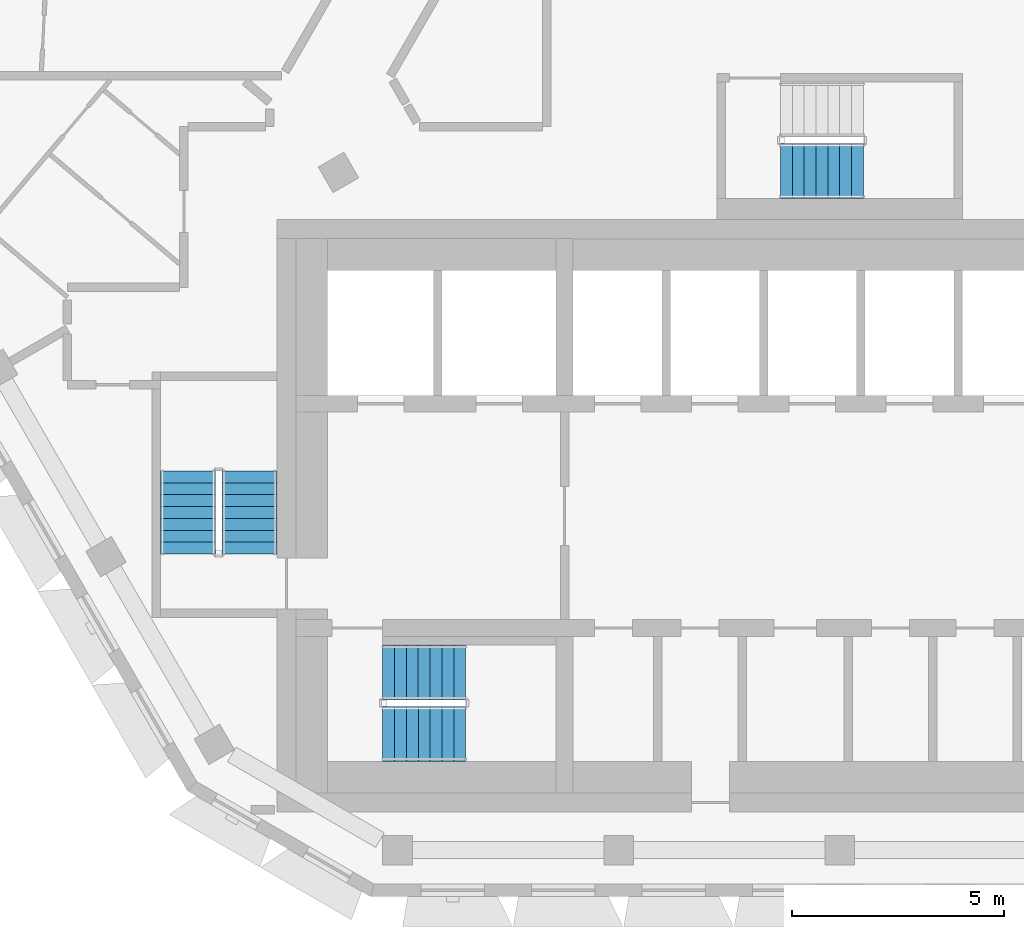
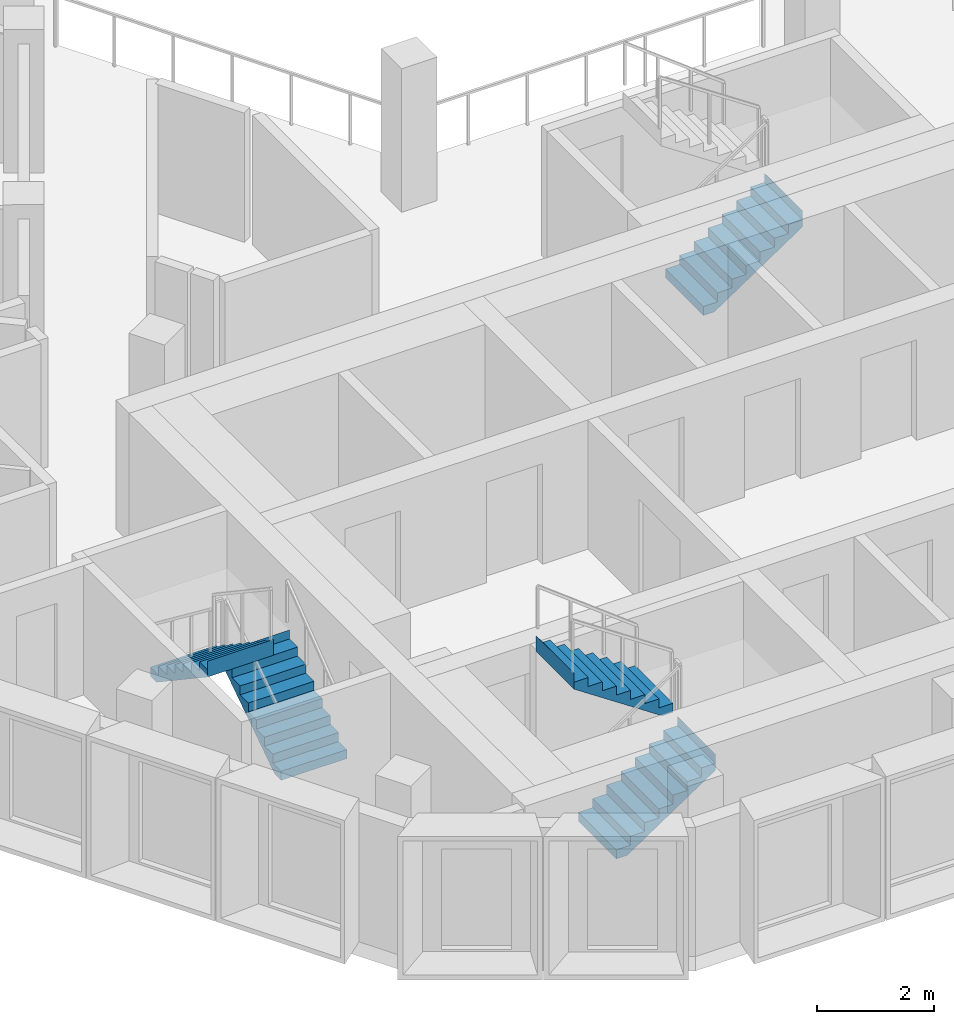
# One storey, part 10 of 16: 5 stair flights, 3 elements without a shape of their own.
"""IFC4 building model written with IfcOpenShell, lengths in metres."""

from ifc_helpers import new_model, si_unit, direction, frame, origin, place, context, subcontext, project, spatial, triangles, material, type_object, element, aggregate, save


model = new_model("IFC4")

# Units and contexts
model_context = context("Model", 3, precision=1e-05, world=origin(), true_north=direction((0.0, 1.0)))
body_context = subcontext(model_context, "Body", "Model", "MODEL_VIEW")
ifc_project = project(units=[si_unit("LENGTHUNIT", "METRE"), si_unit("AREAUNIT", "SQUARE_METRE"), si_unit("VOLUMEUNIT", "CUBIC_METRE"), si_unit("PLANEANGLEUNIT", "RADIAN"), si_unit("MASSUNIT", "GRAM", prefix="KILO")], contexts=[model_context])

# Site, building, storey
site_placement = place(None, origin())
site = spatial("IfcSite", under=ifc_project, at=site_placement, CompositionType="ELEMENT")
building_placement = place(site_placement, origin())
building = spatial("IfcBuilding", under=site, at=building_placement, Name="Beryl Residences", CompositionType="ELEMENT")
storey_placement = place(building_placement, frame((0.0, 0.0, 226.800048828125)))
storey = spatial("IfcBuildingStorey", under=building, at=storey_placement, Name="L70", CompositionType="ELEMENT", Elevation=226.800048828125)

# Stair, stair flights
ifc_material_1 = material(Name="Concrete C40/50", Category="concrete")
stair_type = type_object("IfcStairType", Name="ST1 protected exit stair, half-turn, 1300 mm flights", PredefinedType="HALF_TURN_STAIR", material=ifc_material_1)
stair_1_placement = place(storey_placement, origin())
stair_1 = element("IfcStair", 1, at=stair_1_placement, inside=storey, type_object=stair_type, Name="L70 PROTECTED EXIT STAIR ST-1", PredefinedType="HALF_TURN_STAIR")
ifc_material_2 = material(Name="Concrete C40/50", Category="concrete")
stair_flight_type = type_object("IfcStairFlightType", Name="SF1 stair flight 1300 mm", PredefinedType="STRAIGHT", material=ifc_material_2)
stair_flight_1_placement = place(storey_placement, frame((-10.800048828125, -17.14990234375, 0.0), z_axis=(0.0, 0.0, 1.0), x_axis=(1.0, 0.0, 0.0)))
stair_flight_1 = element("IfcStairFlight", 2, at=stair_flight_1_placement, type_object=stair_flight_type, Name="ST-1 flight 1", NumberOfRisers=8, NumberOfTreads=7, PredefinedType="STRAIGHT", RiserHeight=0.1875, TreadLength=0.28, context=body_context, shape_type="Tessellation", body=[
    triangles([(0.0, -0.64990234375, 0.0), (0.0, -0.324951171875, 0.0), (0.0, 0.0, 0.0), (0.0, 0.324951171875, 0.0), (0.0, 0.64990234375, 0.0), (0.0, -0.64990234375, 0.1875), (0.0, -0.324951171875, 0.1875), (0.0, 0.0, 0.1875), (0.0, 0.324951171875, 0.1875), (0.0, 0.64990234375, 0.1875), (0.280029296875, -0.64990234375, 0.1875), (0.280029296875, -0.324951171875, 0.1875), (0.280029296875, 0.0, 0.1875), (0.280029296875, 0.324951171875, 0.1875), (0.280029296875, 0.64990234375, 0.1875), (0.280029296875, -0.64990234375, 0.375), (0.280029296875, -0.324951171875, 0.375), (0.280029296875, 0.0, 0.375), (0.280029296875, 0.324951171875, 0.375), (0.280029296875, 0.64990234375, 0.375), (0.56005859375, -0.64990234375, 0.375), (0.56005859375, -0.324951171875, 0.375), (0.56005859375, 0.0, 0.375), (0.56005859375, 0.324951171875, 0.375), (0.56005859375, 0.64990234375, 0.375), (0.56005859375, -0.64990234375, 0.5625), (0.56005859375, -0.324951171875, 0.5625), (0.56005859375, 0.0, 0.5625), (0.56005859375, 0.324951171875, 0.5625), (0.56005859375, 0.64990234375, 0.5625), (0.840087890625, -0.64990234375, 0.5625), (0.840087890625, -0.324951171875, 0.5625), (0.840087890625, 0.0, 0.5625), (0.840087890625, 0.324951171875, 0.5625), (0.840087890625, 0.64990234375, 0.5625), (0.840087890625, -0.64990234375, 0.75), (0.840087890625, -0.324951171875, 0.75), (0.840087890625, 0.0, 0.75), (0.840087890625, 0.324951171875, 0.75), (0.840087890625, 0.64990234375, 0.75), (1.1201171875, -0.64990234375, 0.75), (1.1201171875, -0.324951171875, 0.75), (1.1201171875, 0.0, 0.75), (1.1201171875, 0.324951171875, 0.75), (1.1201171875, 0.64990234375, 0.75), (1.1201171875, -0.64990234375, 0.9375), (1.1201171875, -0.324951171875, 0.9375), (1.1201171875, 0.0, 0.9375), (1.1201171875, 0.324951171875, 0.9375), (1.1201171875, 0.64990234375, 0.9375), (1.39990234375, -0.64990234375, 0.9375), (1.39990234375, -0.324951171875, 0.9375), (1.39990234375, 0.0, 0.9375), (1.39990234375, 0.324951171875, 0.9375), (1.39990234375, 0.64990234375, 0.9375), (1.39990234375, -0.64990234375, 1.125), (1.39990234375, -0.324951171875, 1.125), (1.39990234375, 0.0, 1.125), (1.39990234375, 0.324951171875, 1.125), (1.39990234375, 0.64990234375, 1.125), (1.679931640625, -0.64990234375, 1.125), (1.679931640625, -0.324951171875, 1.125), (1.679931640625, 0.0, 1.125), (1.679931640625, 0.324951171875, 1.125), (1.679931640625, 0.64990234375, 1.125), (1.679931640625, -0.64990234375, 1.3125), (1.679931640625, -0.324951171875, 1.3125), (1.679931640625, 0.0, 1.3125), (1.679931640625, 0.324951171875, 1.3125), (1.679931640625, 0.64990234375, 1.3125), (1.9599609375, -0.64990234375, 1.3125), (1.9599609375, -0.324951171875, 1.3125), (1.9599609375, 0.0, 1.3125), (1.9599609375, 0.324951171875, 1.3125), (1.9599609375, 0.64990234375, 1.3125), (1.9599609375, -0.64990234375, 1.5), (1.9599609375, -0.324951171875, 1.5), (1.9599609375, 0.0, 1.5), (1.9599609375, 0.324951171875, 1.5), (1.9599609375, 0.64990234375, 1.5), (1.9609375, -0.64990234375, 1.5), (1.9609375, -0.324951171875, 1.5), (1.9609375, 0.0, 1.5), (1.9609375, 0.324951171875, 1.5), (1.9609375, 0.64990234375, 1.5), (1.9609375, -0.64990234375, 1.16796875), (1.9609375, -0.324951171875, 1.16796875), (1.9609375, 0.0, 1.16796875), (1.9609375, 0.324951171875, 1.16796875), (1.9609375, 0.64990234375, 1.16796875), (0.216796875, -0.64990234375, 0.0), (0.216796875, -0.324951171875, 0.0), (0.216796875, 0.0, 0.0), (0.216796875, 0.324951171875, 0.0), (0.216796875, 0.64990234375, 0.0)], [[1, 6, 7], [1, 7, 2], [2, 7, 8], [2, 8, 3], [3, 8, 9], [3, 9, 4], [4, 9, 10], [4, 10, 5], [6, 11, 12], [6, 12, 7], [7, 12, 13], [7, 13, 8], [8, 13, 14], [8, 14, 9], [9, 14, 15], [9, 15, 10], [11, 16, 17], [11, 17, 12], [12, 17, 18], [12, 18, 13], [13, 18, 19], [13, 19, 14], [14, 19, 20], [14, 20, 15], [16, 21, 22], [16, 22, 17], [17, 22, 23], [17, 23, 18], [18, 23, 24], [18, 24, 19], [19, 24, 25], [19, 25, 20], [21, 26, 27], [21, 27, 22], [22, 27, 28], [22, 28, 23], [23, 28, 29], [23, 29, 24], [24, 29, 30], [24, 30, 25], [26, 31, 32], [26, 32, 27], [27, 32, 33], [27, 33, 28], [28, 33, 34], [28, 34, 29], [29, 34, 35], [29, 35, 30], [31, 36, 37], [31, 37, 32], [32, 37, 38], [32, 38, 33], [33, 38, 39], [33, 39, 34], [34, 39, 40], [34, 40, 35], [36, 41, 42], [36, 42, 37], [37, 42, 43], [37, 43, 38], [38, 43, 44], [38, 44, 39], [39, 44, 45], [39, 45, 40], [41, 46, 47], [41, 47, 42], [42, 47, 48], [42, 48, 43], [43, 48, 49], [43, 49, 44], [44, 49, 50], [44, 50, 45], [46, 51, 52], [46, 52, 47], [47, 52, 53], [47, 53, 48], [48, 53, 54], [48, 54, 49], [49, 54, 55], [49, 55, 50], [51, 56, 57], [51, 57, 52], [52, 57, 58], [52, 58, 53], [53, 58, 59], [53, 59, 54], [54, 59, 60], [54, 60, 55], [56, 61, 62], [56, 62, 57], [57, 62, 63], [57, 63, 58], [58, 63, 64], [58, 64, 59], [59, 64, 65], [59, 65, 60], [61, 66, 67], [61, 67, 62], [62, 67, 68], [62, 68, 63], [63, 68, 69], [63, 69, 64], [64, 69, 70], [64, 70, 65], [66, 71, 72], [66, 72, 67], [67, 72, 73], [67, 73, 68], [68, 73, 74], [68, 74, 69], [69, 74, 75], [69, 75, 70], [71, 76, 77], [71, 77, 72], [72, 77, 78], [72, 78, 73], [73, 78, 79], [73, 79, 74], [74, 79, 80], [74, 80, 75], [76, 81, 82], [76, 82, 77], [77, 82, 83], [77, 83, 78], [78, 83, 84], [78, 84, 79], [79, 84, 85], [79, 85, 80], [81, 86, 87], [81, 87, 82], [82, 87, 88], [82, 88, 83], [83, 88, 89], [83, 89, 84], [84, 89, 90], [84, 90, 85], [86, 91, 92], [86, 92, 87], [87, 92, 93], [87, 93, 88], [88, 93, 94], [88, 94, 89], [89, 94, 95], [89, 95, 90], [91, 1, 2], [91, 2, 92], [92, 2, 3], [92, 3, 93], [93, 3, 4], [93, 4, 94], [94, 4, 5], [94, 5, 95], [1, 91, 86], [5, 90, 95], [86, 81, 76], [90, 80, 85], [86, 76, 71], [90, 75, 80], [86, 71, 66], [90, 70, 75], [86, 66, 61], [90, 65, 70], [61, 56, 51], [65, 55, 60], [86, 61, 51], [90, 55, 65], [51, 46, 41], [55, 45, 50], [86, 51, 41], [90, 45, 55], [41, 36, 31], [45, 35, 40], [86, 41, 31], [90, 35, 45], [31, 26, 21], [35, 25, 30], [86, 31, 21], [90, 25, 35], [21, 16, 11], [25, 15, 20], [86, 21, 11], [90, 15, 25], [1, 86, 11], [5, 15, 90], [11, 6, 1], [15, 5, 10]], closed=True),
])
stair_flight_2_placement = place(storey_placement, frame((-8.840087890625, -15.699951171875, 1.5), z_axis=(0.0, 0.0, 1.0), x_axis=(-1.0, 0.0, 0.0)))
stair_flight_2 = element("IfcStairFlight", 3, at=stair_flight_2_placement, type_object=stair_flight_type, Name="ST-1 flight 2", NumberOfRisers=8, NumberOfTreads=7, PredefinedType="STRAIGHT", RiserHeight=0.1875, TreadLength=0.28, context=body_context, shape_type="Tessellation", body=[
    triangles([(0.0, -0.64990234375, 0.0), (0.0, -0.324951171875, 0.0), (0.0, 0.0, 0.0), (0.0, 0.324951171875, 0.0), (0.0, 0.64990234375, 0.0), (0.0, -0.64990234375, 0.1875), (0.0, -0.324951171875, 0.1875), (0.0, 0.0, 0.1875), (0.0, 0.324951171875, 0.1875), (0.0, 0.64990234375, 0.1875), (0.280029296875, -0.64990234375, 0.1875), (0.280029296875, -0.324951171875, 0.1875), (0.280029296875, 0.0, 0.1875), (0.280029296875, 0.324951171875, 0.1875), (0.280029296875, 0.64990234375, 0.1875), (0.280029296875, -0.64990234375, 0.375), (0.280029296875, -0.324951171875, 0.375), (0.280029296875, 0.0, 0.375), (0.280029296875, 0.324951171875, 0.375), (0.280029296875, 0.64990234375, 0.375), (0.56005859375, -0.64990234375, 0.375), (0.56005859375, -0.324951171875, 0.375), (0.56005859375, 0.0, 0.375), (0.56005859375, 0.324951171875, 0.375), (0.56005859375, 0.64990234375, 0.375), (0.56005859375, -0.64990234375, 0.5625), (0.56005859375, -0.324951171875, 0.5625), (0.56005859375, 0.0, 0.5625), (0.56005859375, 0.324951171875, 0.5625), (0.56005859375, 0.64990234375, 0.5625), (0.840087890625, -0.64990234375, 0.5625), (0.840087890625, -0.324951171875, 0.5625), (0.840087890625, 0.0, 0.5625), (0.840087890625, 0.324951171875, 0.5625), (0.840087890625, 0.64990234375, 0.5625), (0.840087890625, -0.64990234375, 0.75), (0.840087890625, -0.324951171875, 0.75), (0.840087890625, 0.0, 0.75), (0.840087890625, 0.324951171875, 0.75), (0.840087890625, 0.64990234375, 0.75), (1.1201171875, -0.64990234375, 0.75), (1.1201171875, -0.324951171875, 0.75), (1.1201171875, 0.0, 0.75), (1.1201171875, 0.324951171875, 0.75), (1.1201171875, 0.64990234375, 0.75), (1.1201171875, -0.64990234375, 0.9375), (1.1201171875, -0.324951171875, 0.9375), (1.1201171875, 0.0, 0.9375), (1.1201171875, 0.324951171875, 0.9375), (1.1201171875, 0.64990234375, 0.9375), (1.39990234375, -0.64990234375, 0.9375), (1.39990234375, -0.324951171875, 0.9375), (1.39990234375, 0.0, 0.9375), (1.39990234375, 0.324951171875, 0.9375), (1.39990234375, 0.64990234375, 0.9375), (1.39990234375, -0.64990234375, 1.125), (1.39990234375, -0.324951171875, 1.125), (1.39990234375, 0.0, 1.125), (1.39990234375, 0.324951171875, 1.125), (1.39990234375, 0.64990234375, 1.125), (1.679931640625, -0.64990234375, 1.125), (1.679931640625, -0.324951171875, 1.125), (1.679931640625, 0.0, 1.125), (1.679931640625, 0.324951171875, 1.125), (1.679931640625, 0.64990234375, 1.125), (1.679931640625, -0.64990234375, 1.3125), (1.679931640625, -0.324951171875, 1.3125), (1.679931640625, 0.0, 1.3125), (1.679931640625, 0.324951171875, 1.3125), (1.679931640625, 0.64990234375, 1.3125), (1.9599609375, -0.64990234375, 1.3125), (1.9599609375, -0.324951171875, 1.3125), (1.9599609375, 0.0, 1.3125), (1.9599609375, 0.324951171875, 1.3125), (1.9599609375, 0.64990234375, 1.3125), (1.9599609375, -0.64990234375, 1.5), (1.9599609375, -0.324951171875, 1.5), (1.9599609375, 0.0, 1.5), (1.9599609375, 0.324951171875, 1.5), (1.9599609375, 0.64990234375, 1.5), (1.9609375, -0.64990234375, 1.5), (1.9609375, -0.324951171875, 1.5), (1.9609375, 0.0, 1.5), (1.9609375, 0.324951171875, 1.5), (1.9609375, 0.64990234375, 1.5), (1.9609375, -0.64990234375, 1.16796875), (1.9609375, -0.324951171875, 1.16796875), (1.9609375, 0.0, 1.16796875), (1.9609375, 0.324951171875, 1.16796875), (1.9609375, 0.64990234375, 1.16796875), (0.216796875, -0.64990234375, 0.0), (0.216796875, -0.324951171875, 0.0), (0.216796875, 0.0, 0.0), (0.216796875, 0.324951171875, 0.0), (0.216796875, 0.64990234375, 0.0)], [[1, 6, 7], [1, 7, 2], [2, 7, 8], [2, 8, 3], [3, 8, 9], [3, 9, 4], [4, 9, 10], [4, 10, 5], [6, 11, 12], [6, 12, 7], [7, 12, 13], [7, 13, 8], [8, 13, 14], [8, 14, 9], [9, 14, 15], [9, 15, 10], [11, 16, 17], [11, 17, 12], [12, 17, 18], [12, 18, 13], [13, 18, 19], [13, 19, 14], [14, 19, 20], [14, 20, 15], [16, 21, 22], [16, 22, 17], [17, 22, 23], [17, 23, 18], [18, 23, 24], [18, 24, 19], [19, 24, 25], [19, 25, 20], [21, 26, 27], [21, 27, 22], [22, 27, 28], [22, 28, 23], [23, 28, 29], [23, 29, 24], [24, 29, 30], [24, 30, 25], [26, 31, 32], [26, 32, 27], [27, 32, 33], [27, 33, 28], [28, 33, 34], [28, 34, 29], [29, 34, 35], [29, 35, 30], [31, 36, 37], [31, 37, 32], [32, 37, 38], [32, 38, 33], [33, 38, 39], [33, 39, 34], [34, 39, 40], [34, 40, 35], [36, 41, 42], [36, 42, 37], [37, 42, 43], [37, 43, 38], [38, 43, 44], [38, 44, 39], [39, 44, 45], [39, 45, 40], [41, 46, 47], [41, 47, 42], [42, 47, 48], [42, 48, 43], [43, 48, 49], [43, 49, 44], [44, 49, 50], [44, 50, 45], [46, 51, 52], [46, 52, 47], [47, 52, 53], [47, 53, 48], [48, 53, 54], [48, 54, 49], [49, 54, 55], [49, 55, 50], [51, 56, 57], [51, 57, 52], [52, 57, 58], [52, 58, 53], [53, 58, 59], [53, 59, 54], [54, 59, 60], [54, 60, 55], [56, 61, 62], [56, 62, 57], [57, 62, 63], [57, 63, 58], [58, 63, 64], [58, 64, 59], [59, 64, 65], [59, 65, 60], [61, 66, 67], [61, 67, 62], [62, 67, 68], [62, 68, 63], [63, 68, 69], [63, 69, 64], [64, 69, 70], [64, 70, 65], [66, 71, 72], [66, 72, 67], [67, 72, 73], [67, 73, 68], [68, 73, 74], [68, 74, 69], [69, 74, 75], [69, 75, 70], [71, 76, 77], [71, 77, 72], [72, 77, 78], [72, 78, 73], [73, 78, 79], [73, 79, 74], [74, 79, 80], [74, 80, 75], [76, 81, 82], [76, 82, 77], [77, 82, 83], [77, 83, 78], [78, 83, 84], [78, 84, 79], [79, 84, 85], [79, 85, 80], [81, 86, 87], [81, 87, 82], [82, 87, 88], [82, 88, 83], [83, 88, 89], [83, 89, 84], [84, 89, 90], [84, 90, 85], [86, 91, 92], [86, 92, 87], [87, 92, 93], [87, 93, 88], [88, 93, 94], [88, 94, 89], [89, 94, 95], [89, 95, 90], [91, 1, 2], [91, 2, 92], [92, 2, 3], [92, 3, 93], [93, 3, 4], [93, 4, 94], [94, 4, 5], [94, 5, 95], [1, 91, 86], [5, 90, 95], [86, 81, 76], [90, 80, 85], [86, 76, 71], [90, 75, 80], [86, 71, 66], [90, 70, 75], [86, 66, 61], [90, 65, 70], [61, 56, 51], [65, 55, 60], [86, 61, 51], [90, 55, 65], [51, 46, 41], [55, 45, 50], [86, 51, 41], [90, 45, 55], [41, 36, 31], [45, 35, 40], [86, 41, 31], [90, 35, 45], [31, 26, 21], [35, 25, 30], [86, 31, 21], [90, 25, 35], [21, 16, 11], [25, 15, 20], [86, 21, 11], [90, 15, 25], [1, 86, 11], [5, 15, 90], [11, 6, 1], [15, 5, 10]], closed=True),
])
aggregate(stair_1, [stair_flight_1, stair_flight_2])

stair_2_placement = place(storey_placement, origin())
stair_2 = element("IfcStair", 4, at=stair_2_placement, inside=storey, type_object=stair_type, Name="L70 PROTECTED EXIT STAIR ST-2", PredefinedType="HALF_TURN_STAIR")
stair_flight_3_placement = place(storey_placement, frame((-13.949951171875, -12.89990234375, 0.0), z_axis=(0.0, 0.0, 1.0), x_axis=(0.0, 1.0, 0.0)))
stair_flight_3 = element("IfcStairFlight", 5, at=stair_flight_3_placement, type_object=stair_flight_type, Name="ST-2 flight 1", NumberOfRisers=8, NumberOfTreads=7, PredefinedType="STRAIGHT", RiserHeight=0.1875, TreadLength=0.28, context=body_context, shape_type="Tessellation", body=[
    triangles([(0.0, -0.64990234375, 0.0), (0.0, -0.324951171875, 0.0), (0.0, 0.0, 0.0), (0.0, 0.324951171875, 0.0), (0.0, 0.64990234375, 0.0), (0.0, -0.64990234375, 0.1875), (0.0, -0.324951171875, 0.1875), (0.0, 0.0, 0.1875), (0.0, 0.324951171875, 0.1875), (0.0, 0.64990234375, 0.1875), (0.280029296875, -0.64990234375, 0.1875), (0.280029296875, -0.324951171875, 0.1875), (0.280029296875, 0.0, 0.1875), (0.280029296875, 0.324951171875, 0.1875), (0.280029296875, 0.64990234375, 0.1875), (0.280029296875, -0.64990234375, 0.375), (0.280029296875, -0.324951171875, 0.375), (0.280029296875, 0.0, 0.375), (0.280029296875, 0.324951171875, 0.375), (0.280029296875, 0.64990234375, 0.375), (0.56005859375, -0.64990234375, 0.375), (0.56005859375, -0.324951171875, 0.375), (0.56005859375, 0.0, 0.375), (0.56005859375, 0.324951171875, 0.375), (0.56005859375, 0.64990234375, 0.375), (0.56005859375, -0.64990234375, 0.5625), (0.56005859375, -0.324951171875, 0.5625), (0.56005859375, 0.0, 0.5625), (0.56005859375, 0.324951171875, 0.5625), (0.56005859375, 0.64990234375, 0.5625), (0.840087890625, -0.64990234375, 0.5625), (0.840087890625, -0.324951171875, 0.5625), (0.840087890625, 0.0, 0.5625), (0.840087890625, 0.324951171875, 0.5625), (0.840087890625, 0.64990234375, 0.5625), (0.840087890625, -0.64990234375, 0.75), (0.840087890625, -0.324951171875, 0.75), (0.840087890625, 0.0, 0.75), (0.840087890625, 0.324951171875, 0.75), (0.840087890625, 0.64990234375, 0.75), (1.1201171875, -0.64990234375, 0.75), (1.1201171875, -0.324951171875, 0.75), (1.1201171875, 0.0, 0.75), (1.1201171875, 0.324951171875, 0.75), (1.1201171875, 0.64990234375, 0.75), (1.1201171875, -0.64990234375, 0.9375), (1.1201171875, -0.324951171875, 0.9375), (1.1201171875, 0.0, 0.9375), (1.1201171875, 0.324951171875, 0.9375), (1.1201171875, 0.64990234375, 0.9375), (1.39990234375, -0.64990234375, 0.9375), (1.39990234375, -0.324951171875, 0.9375), (1.39990234375, 0.0, 0.9375), (1.39990234375, 0.324951171875, 0.9375), (1.39990234375, 0.64990234375, 0.9375), (1.39990234375, -0.64990234375, 1.125), (1.39990234375, -0.324951171875, 1.125), (1.39990234375, 0.0, 1.125), (1.39990234375, 0.324951171875, 1.125), (1.39990234375, 0.64990234375, 1.125), (1.679931640625, -0.64990234375, 1.125), (1.679931640625, -0.324951171875, 1.125), (1.679931640625, 0.0, 1.125), (1.679931640625, 0.324951171875, 1.125), (1.679931640625, 0.64990234375, 1.125), (1.679931640625, -0.64990234375, 1.3125), (1.679931640625, -0.324951171875, 1.3125), (1.679931640625, 0.0, 1.3125), (1.679931640625, 0.324951171875, 1.3125), (1.679931640625, 0.64990234375, 1.3125), (1.9599609375, -0.64990234375, 1.3125), (1.9599609375, -0.324951171875, 1.3125), (1.9599609375, 0.0, 1.3125), (1.9599609375, 0.324951171875, 1.3125), (1.9599609375, 0.64990234375, 1.3125), (1.9599609375, -0.64990234375, 1.5), (1.9599609375, -0.324951171875, 1.5), (1.9599609375, 0.0, 1.5), (1.9599609375, 0.324951171875, 1.5), (1.9599609375, 0.64990234375, 1.5), (1.9609375, -0.64990234375, 1.5), (1.9609375, -0.324951171875, 1.5), (1.9609375, 0.0, 1.5), (1.9609375, 0.324951171875, 1.5), (1.9609375, 0.64990234375, 1.5), (1.9609375, -0.64990234375, 1.16796875), (1.9609375, -0.324951171875, 1.16796875), (1.9609375, 0.0, 1.16796875), (1.9609375, 0.324951171875, 1.16796875), (1.9609375, 0.64990234375, 1.16796875), (0.216796875, -0.64990234375, 0.0), (0.216796875, -0.324951171875, 0.0), (0.216796875, 0.0, 0.0), (0.216796875, 0.324951171875, 0.0), (0.216796875, 0.64990234375, 0.0)], [[1, 6, 7], [1, 7, 2], [2, 7, 8], [2, 8, 3], [3, 8, 9], [3, 9, 4], [4, 9, 10], [4, 10, 5], [6, 11, 12], [6, 12, 7], [7, 12, 13], [7, 13, 8], [8, 13, 14], [8, 14, 9], [9, 14, 15], [9, 15, 10], [11, 16, 17], [11, 17, 12], [12, 17, 18], [12, 18, 13], [13, 18, 19], [13, 19, 14], [14, 19, 20], [14, 20, 15], [16, 21, 22], [16, 22, 17], [17, 22, 23], [17, 23, 18], [18, 23, 24], [18, 24, 19], [19, 24, 25], [19, 25, 20], [21, 26, 27], [21, 27, 22], [22, 27, 28], [22, 28, 23], [23, 28, 29], [23, 29, 24], [24, 29, 30], [24, 30, 25], [26, 31, 32], [26, 32, 27], [27, 32, 33], [27, 33, 28], [28, 33, 34], [28, 34, 29], [29, 34, 35], [29, 35, 30], [31, 36, 37], [31, 37, 32], [32, 37, 38], [32, 38, 33], [33, 38, 39], [33, 39, 34], [34, 39, 40], [34, 40, 35], [36, 41, 42], [36, 42, 37], [37, 42, 43], [37, 43, 38], [38, 43, 44], [38, 44, 39], [39, 44, 45], [39, 45, 40], [41, 46, 47], [41, 47, 42], [42, 47, 48], [42, 48, 43], [43, 48, 49], [43, 49, 44], [44, 49, 50], [44, 50, 45], [46, 51, 52], [46, 52, 47], [47, 52, 53], [47, 53, 48], [48, 53, 54], [48, 54, 49], [49, 54, 55], [49, 55, 50], [51, 56, 57], [51, 57, 52], [52, 57, 58], [52, 58, 53], [53, 58, 59], [53, 59, 54], [54, 59, 60], [54, 60, 55], [56, 61, 62], [56, 62, 57], [57, 62, 63], [57, 63, 58], [58, 63, 64], [58, 64, 59], [59, 64, 65], [59, 65, 60], [61, 66, 67], [61, 67, 62], [62, 67, 68], [62, 68, 63], [63, 68, 69], [63, 69, 64], [64, 69, 70], [64, 70, 65], [66, 71, 72], [66, 72, 67], [67, 72, 73], [67, 73, 68], [68, 73, 74], [68, 74, 69], [69, 74, 75], [69, 75, 70], [71, 76, 77], [71, 77, 72], [72, 77, 78], [72, 78, 73], [73, 78, 79], [73, 79, 74], [74, 79, 80], [74, 80, 75], [76, 81, 82], [76, 82, 77], [77, 82, 83], [77, 83, 78], [78, 83, 84], [78, 84, 79], [79, 84, 85], [79, 85, 80], [81, 86, 87], [81, 87, 82], [82, 87, 88], [82, 88, 83], [83, 88, 89], [83, 89, 84], [84, 89, 90], [84, 90, 85], [86, 91, 92], [86, 92, 87], [87, 92, 93], [87, 93, 88], [88, 93, 94], [88, 94, 89], [89, 94, 95], [89, 95, 90], [91, 1, 2], [91, 2, 92], [92, 2, 3], [92, 3, 93], [93, 3, 4], [93, 4, 94], [94, 4, 5], [94, 5, 95], [1, 91, 86], [5, 90, 95], [86, 81, 76], [90, 80, 85], [86, 76, 71], [90, 75, 80], [86, 71, 66], [90, 70, 75], [86, 66, 61], [90, 65, 70], [61, 56, 51], [65, 55, 60], [86, 61, 51], [90, 55, 65], [51, 46, 41], [55, 45, 50], [86, 51, 41], [90, 45, 55], [41, 36, 31], [45, 35, 40], [86, 41, 31], [90, 35, 45], [31, 26, 21], [35, 25, 30], [86, 31, 21], [90, 25, 35], [21, 16, 11], [25, 15, 20], [86, 21, 11], [90, 15, 25], [1, 86, 11], [5, 15, 90], [11, 6, 1], [15, 5, 10]], closed=True),
])
stair_flight_4_placement = place(storey_placement, frame((-15.39990234375, -10.93994140625, 1.5), z_axis=(0.0, 0.0, 1.0), x_axis=(0.0, -1.0, 0.0)))
stair_flight_4 = element("IfcStairFlight", 6, at=stair_flight_4_placement, type_object=stair_flight_type, Name="ST-2 flight 2", NumberOfRisers=8, NumberOfTreads=7, PredefinedType="STRAIGHT", RiserHeight=0.1875, TreadLength=0.28, context=body_context, shape_type="Tessellation", body=[
    triangles([(0.0, -0.64990234375, 0.0), (0.0, -0.324951171875, 0.0), (0.0, 0.0, 0.0), (0.0, 0.324951171875, 0.0), (0.0, 0.64990234375, 0.0), (0.0, -0.64990234375, 0.1875), (0.0, -0.324951171875, 0.1875), (0.0, 0.0, 0.1875), (0.0, 0.324951171875, 0.1875), (0.0, 0.64990234375, 0.1875), (0.280029296875, -0.64990234375, 0.1875), (0.280029296875, -0.324951171875, 0.1875), (0.280029296875, 0.0, 0.1875), (0.280029296875, 0.324951171875, 0.1875), (0.280029296875, 0.64990234375, 0.1875), (0.280029296875, -0.64990234375, 0.375), (0.280029296875, -0.324951171875, 0.375), (0.280029296875, 0.0, 0.375), (0.280029296875, 0.324951171875, 0.375), (0.280029296875, 0.64990234375, 0.375), (0.56005859375, -0.64990234375, 0.375), (0.56005859375, -0.324951171875, 0.375), (0.56005859375, 0.0, 0.375), (0.56005859375, 0.324951171875, 0.375), (0.56005859375, 0.64990234375, 0.375), (0.56005859375, -0.64990234375, 0.5625), (0.56005859375, -0.324951171875, 0.5625), (0.56005859375, 0.0, 0.5625), (0.56005859375, 0.324951171875, 0.5625), (0.56005859375, 0.64990234375, 0.5625), (0.840087890625, -0.64990234375, 0.5625), (0.840087890625, -0.324951171875, 0.5625), (0.840087890625, 0.0, 0.5625), (0.840087890625, 0.324951171875, 0.5625), (0.840087890625, 0.64990234375, 0.5625), (0.840087890625, -0.64990234375, 0.75), (0.840087890625, -0.324951171875, 0.75), (0.840087890625, 0.0, 0.75), (0.840087890625, 0.324951171875, 0.75), (0.840087890625, 0.64990234375, 0.75), (1.1201171875, -0.64990234375, 0.75), (1.1201171875, -0.324951171875, 0.75), (1.1201171875, 0.0, 0.75), (1.1201171875, 0.324951171875, 0.75), (1.1201171875, 0.64990234375, 0.75), (1.1201171875, -0.64990234375, 0.9375), (1.1201171875, -0.324951171875, 0.9375), (1.1201171875, 0.0, 0.9375), (1.1201171875, 0.324951171875, 0.9375), (1.1201171875, 0.64990234375, 0.9375), (1.39990234375, -0.64990234375, 0.9375), (1.39990234375, -0.324951171875, 0.9375), (1.39990234375, 0.0, 0.9375), (1.39990234375, 0.324951171875, 0.9375), (1.39990234375, 0.64990234375, 0.9375), (1.39990234375, -0.64990234375, 1.125), (1.39990234375, -0.324951171875, 1.125), (1.39990234375, 0.0, 1.125), (1.39990234375, 0.324951171875, 1.125), (1.39990234375, 0.64990234375, 1.125), (1.679931640625, -0.64990234375, 1.125), (1.679931640625, -0.324951171875, 1.125), (1.679931640625, 0.0, 1.125), (1.679931640625, 0.324951171875, 1.125), (1.679931640625, 0.64990234375, 1.125), (1.679931640625, -0.64990234375, 1.3125), (1.679931640625, -0.324951171875, 1.3125), (1.679931640625, 0.0, 1.3125), (1.679931640625, 0.324951171875, 1.3125), (1.679931640625, 0.64990234375, 1.3125), (1.9599609375, -0.64990234375, 1.3125), (1.9599609375, -0.324951171875, 1.3125), (1.9599609375, 0.0, 1.3125), (1.9599609375, 0.324951171875, 1.3125), (1.9599609375, 0.64990234375, 1.3125), (1.9599609375, -0.64990234375, 1.5), (1.9599609375, -0.324951171875, 1.5), (1.9599609375, 0.0, 1.5), (1.9599609375, 0.324951171875, 1.5), (1.9599609375, 0.64990234375, 1.5), (1.9609375, -0.64990234375, 1.5), (1.9609375, -0.324951171875, 1.5), (1.9609375, 0.0, 1.5), (1.9609375, 0.324951171875, 1.5), (1.9609375, 0.64990234375, 1.5), (1.9609375, -0.64990234375, 1.16796875), (1.9609375, -0.324951171875, 1.16796875), (1.9609375, 0.0, 1.16796875), (1.9609375, 0.324951171875, 1.16796875), (1.9609375, 0.64990234375, 1.16796875), (0.216796875, -0.64990234375, 0.0), (0.216796875, -0.324951171875, 0.0), (0.216796875, 0.0, 0.0), (0.216796875, 0.324951171875, 0.0), (0.216796875, 0.64990234375, 0.0)], [[1, 6, 7], [1, 7, 2], [2, 7, 8], [2, 8, 3], [3, 8, 9], [3, 9, 4], [4, 9, 10], [4, 10, 5], [6, 11, 12], [6, 12, 7], [7, 12, 13], [7, 13, 8], [8, 13, 14], [8, 14, 9], [9, 14, 15], [9, 15, 10], [11, 16, 17], [11, 17, 12], [12, 17, 18], [12, 18, 13], [13, 18, 19], [13, 19, 14], [14, 19, 20], [14, 20, 15], [16, 21, 22], [16, 22, 17], [17, 22, 23], [17, 23, 18], [18, 23, 24], [18, 24, 19], [19, 24, 25], [19, 25, 20], [21, 26, 27], [21, 27, 22], [22, 27, 28], [22, 28, 23], [23, 28, 29], [23, 29, 24], [24, 29, 30], [24, 30, 25], [26, 31, 32], [26, 32, 27], [27, 32, 33], [27, 33, 28], [28, 33, 34], [28, 34, 29], [29, 34, 35], [29, 35, 30], [31, 36, 37], [31, 37, 32], [32, 37, 38], [32, 38, 33], [33, 38, 39], [33, 39, 34], [34, 39, 40], [34, 40, 35], [36, 41, 42], [36, 42, 37], [37, 42, 43], [37, 43, 38], [38, 43, 44], [38, 44, 39], [39, 44, 45], [39, 45, 40], [41, 46, 47], [41, 47, 42], [42, 47, 48], [42, 48, 43], [43, 48, 49], [43, 49, 44], [44, 49, 50], [44, 50, 45], [46, 51, 52], [46, 52, 47], [47, 52, 53], [47, 53, 48], [48, 53, 54], [48, 54, 49], [49, 54, 55], [49, 55, 50], [51, 56, 57], [51, 57, 52], [52, 57, 58], [52, 58, 53], [53, 58, 59], [53, 59, 54], [54, 59, 60], [54, 60, 55], [56, 61, 62], [56, 62, 57], [57, 62, 63], [57, 63, 58], [58, 63, 64], [58, 64, 59], [59, 64, 65], [59, 65, 60], [61, 66, 67], [61, 67, 62], [62, 67, 68], [62, 68, 63], [63, 68, 69], [63, 69, 64], [64, 69, 70], [64, 70, 65], [66, 71, 72], [66, 72, 67], [67, 72, 73], [67, 73, 68], [68, 73, 74], [68, 74, 69], [69, 74, 75], [69, 75, 70], [71, 76, 77], [71, 77, 72], [72, 77, 78], [72, 78, 73], [73, 78, 79], [73, 79, 74], [74, 79, 80], [74, 80, 75], [76, 81, 82], [76, 82, 77], [77, 82, 83], [77, 83, 78], [78, 83, 84], [78, 84, 79], [79, 84, 85], [79, 85, 80], [81, 86, 87], [81, 87, 82], [82, 87, 88], [82, 88, 83], [83, 88, 89], [83, 89, 84], [84, 89, 90], [84, 90, 85], [86, 91, 92], [86, 92, 87], [87, 92, 93], [87, 93, 88], [88, 93, 94], [88, 94, 89], [89, 94, 95], [89, 95, 90], [91, 1, 2], [91, 2, 92], [92, 2, 3], [92, 3, 93], [93, 3, 4], [93, 4, 94], [94, 4, 5], [94, 5, 95], [1, 91, 86], [5, 90, 95], [86, 81, 76], [90, 80, 85], [86, 76, 71], [90, 75, 80], [86, 71, 66], [90, 70, 75], [86, 66, 61], [90, 65, 70], [61, 56, 51], [65, 55, 60], [86, 61, 51], [90, 55, 65], [51, 46, 41], [55, 45, 50], [86, 51, 41], [90, 45, 55], [41, 36, 31], [45, 35, 40], [86, 41, 31], [90, 35, 45], [31, 26, 21], [35, 25, 30], [86, 31, 21], [90, 25, 35], [21, 16, 11], [25, 15, 20], [86, 21, 11], [90, 15, 25], [1, 86, 11], [5, 15, 90], [11, 6, 1], [15, 5, 10]], closed=True),
])
aggregate(stair_2, [stair_flight_3, stair_flight_4])

# Stair, stair flight
stair_3_placement = place(storey_placement, origin())
stair_3 = element("IfcStair", 7, at=stair_3_placement, inside=storey, type_object=stair_type, Name="L70 PROTECTED EXIT STAIR ST-4", PredefinedType="HALF_TURN_STAIR")
stair_flight_5_placement = place(storey_placement, frame((-1.39990234375, -3.85009765625, 0.0), z_axis=(0.0, 0.0, 1.0), x_axis=(1.0, 0.0, 0.0)))
stair_flight_5 = element("IfcStairFlight", 8, at=stair_flight_5_placement, type_object=stair_flight_type, Name="ST-4 flight 1", NumberOfRisers=8, NumberOfTreads=7, PredefinedType="STRAIGHT", RiserHeight=0.1875, TreadLength=0.28, context=body_context, shape_type="Tessellation", body=[
    triangles([(0.0, -0.64990234375, 0.0), (0.0, -0.324951171875, 0.0), (0.0, 0.0, 0.0), (0.0, 0.324951171875, 0.0), (0.0, 0.64990234375, 0.0), (0.0, -0.64990234375, 0.1875), (0.0, -0.324951171875, 0.1875), (0.0, 0.0, 0.1875), (0.0, 0.324951171875, 0.1875), (0.0, 0.64990234375, 0.1875), (0.280029296875, -0.64990234375, 0.1875), (0.280029296875, -0.324951171875, 0.1875), (0.280029296875, 0.0, 0.1875), (0.280029296875, 0.324951171875, 0.1875), (0.280029296875, 0.64990234375, 0.1875), (0.280029296875, -0.64990234375, 0.375), (0.280029296875, -0.324951171875, 0.375), (0.280029296875, 0.0, 0.375), (0.280029296875, 0.324951171875, 0.375), (0.280029296875, 0.64990234375, 0.375), (0.56005859375, -0.64990234375, 0.375), (0.56005859375, -0.324951171875, 0.375), (0.56005859375, 0.0, 0.375), (0.56005859375, 0.324951171875, 0.375), (0.56005859375, 0.64990234375, 0.375), (0.56005859375, -0.64990234375, 0.5625), (0.56005859375, -0.324951171875, 0.5625), (0.56005859375, 0.0, 0.5625), (0.56005859375, 0.324951171875, 0.5625), (0.56005859375, 0.64990234375, 0.5625), (0.840087890625, -0.64990234375, 0.5625), (0.840087890625, -0.324951171875, 0.5625), (0.840087890625, 0.0, 0.5625), (0.840087890625, 0.324951171875, 0.5625), (0.840087890625, 0.64990234375, 0.5625), (0.840087890625, -0.64990234375, 0.75), (0.840087890625, -0.324951171875, 0.75), (0.840087890625, 0.0, 0.75), (0.840087890625, 0.324951171875, 0.75), (0.840087890625, 0.64990234375, 0.75), (1.1201171875, -0.64990234375, 0.75), (1.1201171875, -0.324951171875, 0.75), (1.1201171875, 0.0, 0.75), (1.1201171875, 0.324951171875, 0.75), (1.1201171875, 0.64990234375, 0.75), (1.1201171875, -0.64990234375, 0.9375), (1.1201171875, -0.324951171875, 0.9375), (1.1201171875, 0.0, 0.9375), (1.1201171875, 0.324951171875, 0.9375), (1.1201171875, 0.64990234375, 0.9375), (1.39990234375, -0.64990234375, 0.9375), (1.39990234375, -0.324951171875, 0.9375), (1.39990234375, 0.0, 0.9375), (1.39990234375, 0.324951171875, 0.9375), (1.39990234375, 0.64990234375, 0.9375), (1.39990234375, -0.64990234375, 1.125), (1.39990234375, -0.324951171875, 1.125), (1.39990234375, 0.0, 1.125), (1.39990234375, 0.324951171875, 1.125), (1.39990234375, 0.64990234375, 1.125), (1.679931640625, -0.64990234375, 1.125), (1.679931640625, -0.324951171875, 1.125), (1.679931640625, 0.0, 1.125), (1.679931640625, 0.324951171875, 1.125), (1.679931640625, 0.64990234375, 1.125), (1.679931640625, -0.64990234375, 1.3125), (1.679931640625, -0.324951171875, 1.3125), (1.679931640625, 0.0, 1.3125), (1.679931640625, 0.324951171875, 1.3125), (1.679931640625, 0.64990234375, 1.3125), (1.9599609375, -0.64990234375, 1.3125), (1.9599609375, -0.324951171875, 1.3125), (1.9599609375, 0.0, 1.3125), (1.9599609375, 0.324951171875, 1.3125), (1.9599609375, 0.64990234375, 1.3125), (1.9599609375, -0.64990234375, 1.5), (1.9599609375, -0.324951171875, 1.5), (1.9599609375, 0.0, 1.5), (1.9599609375, 0.324951171875, 1.5), (1.9599609375, 0.64990234375, 1.5), (1.9609375, -0.64990234375, 1.5), (1.9609375, -0.324951171875, 1.5), (1.9609375, 0.0, 1.5), (1.9609375, 0.324951171875, 1.5), (1.9609375, 0.64990234375, 1.5), (1.9609375, -0.64990234375, 1.16796875), (1.9609375, -0.324951171875, 1.16796875), (1.9609375, 0.0, 1.16796875), (1.9609375, 0.324951171875, 1.16796875), (1.9609375, 0.64990234375, 1.16796875), (0.216796875, -0.64990234375, 0.0), (0.216796875, -0.324951171875, 0.0), (0.216796875, 0.0, 0.0), (0.216796875, 0.324951171875, 0.0), (0.216796875, 0.64990234375, 0.0)], [[1, 6, 7], [1, 7, 2], [2, 7, 8], [2, 8, 3], [3, 8, 9], [3, 9, 4], [4, 9, 10], [4, 10, 5], [6, 11, 12], [6, 12, 7], [7, 12, 13], [7, 13, 8], [8, 13, 14], [8, 14, 9], [9, 14, 15], [9, 15, 10], [11, 16, 17], [11, 17, 12], [12, 17, 18], [12, 18, 13], [13, 18, 19], [13, 19, 14], [14, 19, 20], [14, 20, 15], [16, 21, 22], [16, 22, 17], [17, 22, 23], [17, 23, 18], [18, 23, 24], [18, 24, 19], [19, 24, 25], [19, 25, 20], [21, 26, 27], [21, 27, 22], [22, 27, 28], [22, 28, 23], [23, 28, 29], [23, 29, 24], [24, 29, 30], [24, 30, 25], [26, 31, 32], [26, 32, 27], [27, 32, 33], [27, 33, 28], [28, 33, 34], [28, 34, 29], [29, 34, 35], [29, 35, 30], [31, 36, 37], [31, 37, 32], [32, 37, 38], [32, 38, 33], [33, 38, 39], [33, 39, 34], [34, 39, 40], [34, 40, 35], [36, 41, 42], [36, 42, 37], [37, 42, 43], [37, 43, 38], [38, 43, 44], [38, 44, 39], [39, 44, 45], [39, 45, 40], [41, 46, 47], [41, 47, 42], [42, 47, 48], [42, 48, 43], [43, 48, 49], [43, 49, 44], [44, 49, 50], [44, 50, 45], [46, 51, 52], [46, 52, 47], [47, 52, 53], [47, 53, 48], [48, 53, 54], [48, 54, 49], [49, 54, 55], [49, 55, 50], [51, 56, 57], [51, 57, 52], [52, 57, 58], [52, 58, 53], [53, 58, 59], [53, 59, 54], [54, 59, 60], [54, 60, 55], [56, 61, 62], [56, 62, 57], [57, 62, 63], [57, 63, 58], [58, 63, 64], [58, 64, 59], [59, 64, 65], [59, 65, 60], [61, 66, 67], [61, 67, 62], [62, 67, 68], [62, 68, 63], [63, 68, 69], [63, 69, 64], [64, 69, 70], [64, 70, 65], [66, 71, 72], [66, 72, 67], [67, 72, 73], [67, 73, 68], [68, 73, 74], [68, 74, 69], [69, 74, 75], [69, 75, 70], [71, 76, 77], [71, 77, 72], [72, 77, 78], [72, 78, 73], [73, 78, 79], [73, 79, 74], [74, 79, 80], [74, 80, 75], [76, 81, 82], [76, 82, 77], [77, 82, 83], [77, 83, 78], [78, 83, 84], [78, 84, 79], [79, 84, 85], [79, 85, 80], [81, 86, 87], [81, 87, 82], [82, 87, 88], [82, 88, 83], [83, 88, 89], [83, 89, 84], [84, 89, 90], [84, 90, 85], [86, 91, 92], [86, 92, 87], [87, 92, 93], [87, 93, 88], [88, 93, 94], [88, 94, 89], [89, 94, 95], [89, 95, 90], [91, 1, 2], [91, 2, 92], [92, 2, 3], [92, 3, 93], [93, 3, 4], [93, 4, 94], [94, 4, 5], [94, 5, 95], [1, 91, 86], [5, 90, 95], [86, 81, 76], [90, 80, 85], [86, 76, 71], [90, 75, 80], [86, 71, 66], [90, 70, 75], [86, 66, 61], [90, 65, 70], [61, 56, 51], [65, 55, 60], [86, 61, 51], [90, 55, 65], [51, 46, 41], [55, 45, 50], [86, 51, 41], [90, 45, 55], [41, 36, 31], [45, 35, 40], [86, 41, 31], [90, 35, 45], [31, 26, 21], [35, 25, 30], [86, 31, 21], [90, 25, 35], [21, 16, 11], [25, 15, 20], [86, 21, 11], [90, 15, 25], [1, 86, 11], [5, 15, 90], [11, 6, 1], [15, 5, 10]], closed=True),
])
aggregate(stair_3, [stair_flight_5])

save(model, "model.ifc")
